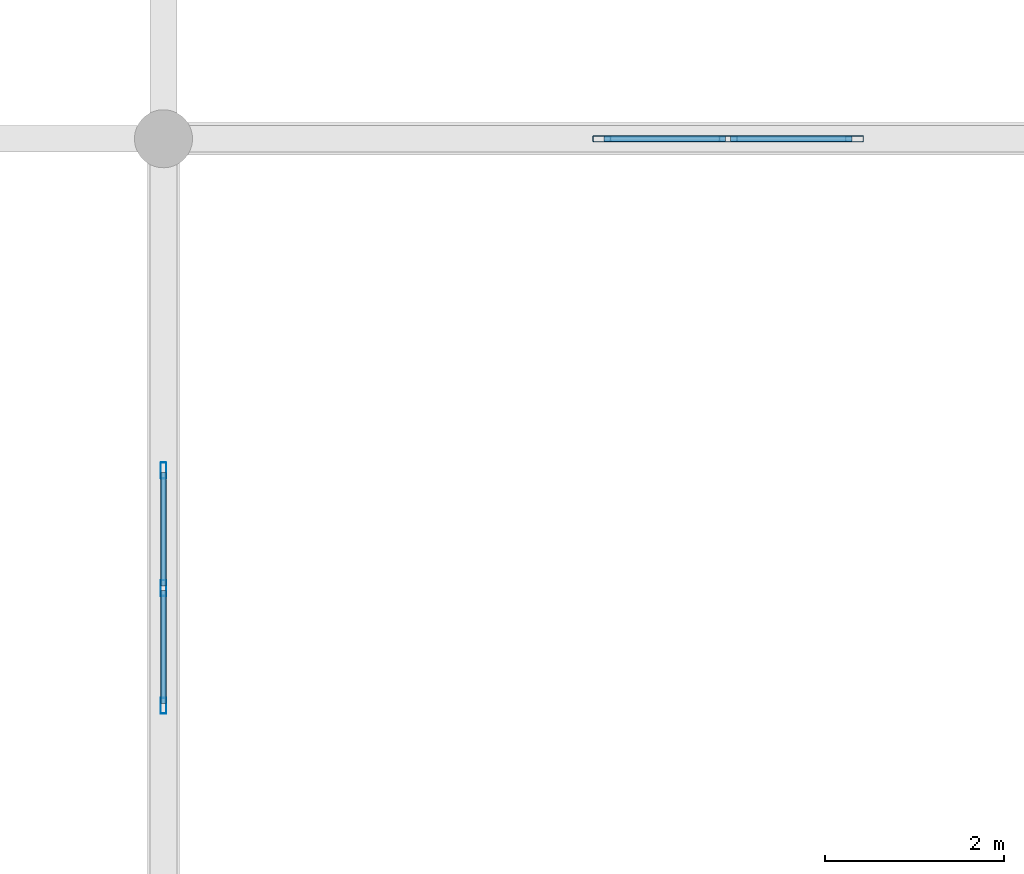
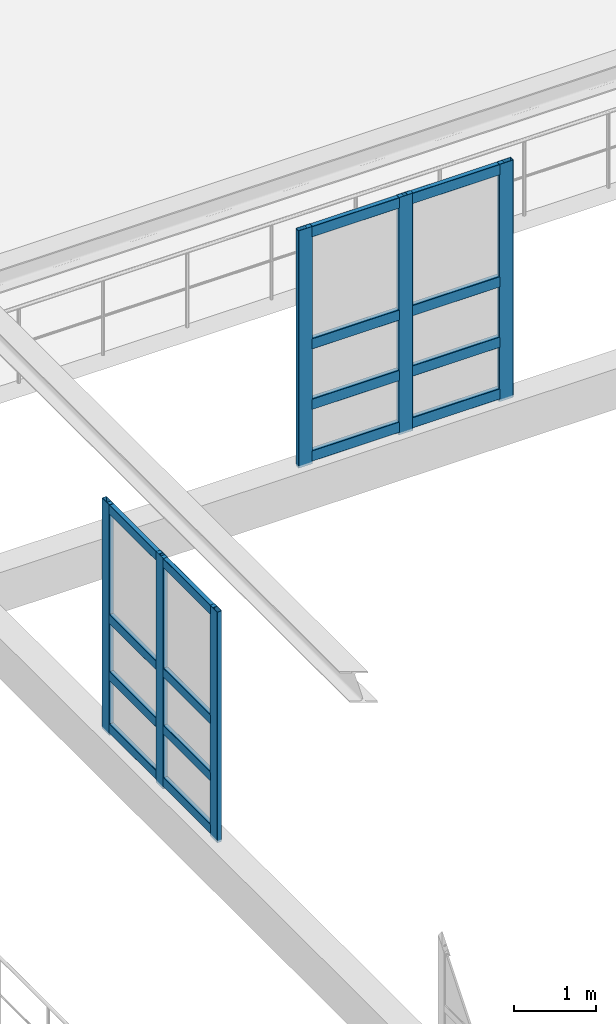
# One storey, part 70 of 197: 22 members, 2 elements without a shape of their own.
"""IFC4 building model written with IfcOpenShell, lengths in metres."""

from ifc_helpers import new_model, si_unit, derived_unit, direction, frame, origin, origin_2d, place, context, subcontext, project, spatial, hollow_rectangle, extrude, material, layer, layer_set, material_profile, profile_set, type_object, element, aggregate, save


model = new_model("IFC4")

# Units and contexts
model_context = context("Model", 3, precision=1e-05, world=origin(), true_north=direction((0.0, 1.0)))
body_context = subcontext(model_context, "Body", "Model", "MODEL_VIEW")
ifc_project = project(units=[si_unit("LENGTHUNIT", "METRE"), si_unit("AREAUNIT", "SQUARE_METRE"), si_unit("VOLUMEUNIT", "CUBIC_METRE"), si_unit("PLANEANGLEUNIT", "RADIAN"), si_unit("MASSUNIT", "GRAM", prefix="KILO"), derived_unit("THERMALTRANSMITTANCEUNIT", [(si_unit("POWERUNIT", "WATT"), 1), (si_unit("LENGTHUNIT", "METRE"), -2), (si_unit("THERMODYNAMICTEMPERATUREUNIT", "KELVIN"), -1)])], contexts=[model_context])

# Site, building, storey
site_placement = place(None, origin())
site = spatial("IfcSite", under=ifc_project, at=site_placement, CompositionType="ELEMENT")
building_placement = place(site_placement, origin())
building = spatial("IfcBuilding", under=site, at=building_placement, Name="Almenara Railside Exhibition Hall", CompositionType="ELEMENT")
storey_placement = place(building_placement, frame((0.0, 0.0, 5.39990234375)))
storey = spatial("IfcBuildingStorey", under=building, at=storey_placement, Name="L01", CompositionType="ELEMENT", Elevation=5.39990234375)

# Curtain wall, members
ifc_material_1 = material(Name="Bronze-anodised aluminium and low-E double glazing", Category="aluminium")
ifc_layer_1 = layer(ifc_material_1, 0.179931640625, Name="Bronze-anodised aluminium and low-E double glazing")
ifc_layer_set_1 = layer_set([ifc_layer_1], Name="Bronze-anodised aluminium and low-E double glazing")
curtain_wall_type_1 = type_object("IfcCurtainWallType", Name="Courtyard South Galeria Curtain Wall 2700x3400", PredefinedType="NOTDEFINED", material=ifc_layer_set_1)
curtain_wall_1_placement = place(storey_placement, origin())
curtain_wall_1 = element("IfcCurtainWall", 1, at=curtain_wall_1_placement, inside=storey, type_object=curtain_wall_type_1, Name="Curtain wall CW-CY3-156", PredefinedType="NOTDEFINED")
ifc_material_2 = material(Name="Bronze-anodised aluminium", Category="aluminium")
ifc_material_profile_1 = material_profile(ifc_material_2, hollow_rectangle(XDim=0.06494140625, YDim=0.179931640625, WallThickness=0.00390625, InnerFilletRadius=0.00390625, OuterFilletRadius=0.008056640625, at=origin_2d()), Name="ALU-MUL 65x180x4")
ifc_profile_set_1 = profile_set([ifc_material_profile_1], Name="Bronze-anodised aluminium")
member_type_1 = type_object("IfcMemberType", Name="Curtain Wall Mullion 65x180x4", PredefinedType="MULLION", material=ifc_profile_set_1)
member_1_placement = place(storey_placement, frame((84.0, 86.28564453125, 0.565185546875), z_axis=(0.0, 0.0, 1.0), x_axis=(1.0, 0.0, 0.0)))
member_1 = element("IfcMember", 2, at=member_1_placement, type_object=member_type_1, Name="CW-CY3-156 mullion 1", PredefinedType="MULLION", context=body_context, shape_type="SweptSolid", body=[
    extrude(hollow_rectangle(XDim=0.06494140625, YDim=0.179931640625, WallThickness=0.00390625, InnerFilletRadius=0.00390625, OuterFilletRadius=0.008056640625, at=origin_2d()), origin(), (0.0, 0.0, 1.0), 3.434814453125),
])
member_2_placement = place(storey_placement, frame((84.0, 84.96826171875, 0.565185546875), z_axis=(0.0, 0.0, 1.0), x_axis=(1.0, 0.0, 0.0)))
member_2 = element("IfcMember", 3, at=member_2_placement, type_object=member_type_1, Name="CW-CY3-156 mullion 2", PredefinedType="MULLION", context=body_context, shape_type="SweptSolid", body=[
    extrude(hollow_rectangle(XDim=0.06494140625, YDim=0.179931640625, WallThickness=0.00390625, InnerFilletRadius=0.00390625, OuterFilletRadius=0.008056640625, at=origin_2d()), origin(), (0.0, 0.0, 1.0), 3.434814453125),
])
member_3_placement = place(storey_placement, frame((84.0, 83.650634765625, 0.565185546875), z_axis=(0.0, 0.0, 1.0), x_axis=(1.0, 0.0, 0.0)))
member_3 = element("IfcMember", 4, at=member_3_placement, type_object=member_type_1, Name="CW-CY3-156 mullion 3", PredefinedType="MULLION", context=body_context, shape_type="SweptSolid", body=[
    extrude(hollow_rectangle(XDim=0.06494140625, YDim=0.179931640625, WallThickness=0.00390625, InnerFilletRadius=0.00390625, OuterFilletRadius=0.008056640625, at=origin_2d()), origin(), (0.0, 0.0, 1.0), 3.434814453125),
])

ifc_layer_2 = layer(ifc_material_1, 0.179931640625, Name="Bronze-anodised aluminium and low-E double glazing")
ifc_layer_set_2 = layer_set([ifc_layer_2], Name="Bronze-anodised aluminium and low-E double glazing")
curtain_wall_type_2 = type_object("IfcCurtainWallType", Name="Courtyard East Galeria Curtain Wall 2900x3500", PredefinedType="NOTDEFINED", material=ifc_layer_set_2)
curtain_wall_2_placement = place(storey_placement, origin())
curtain_wall_2 = element("IfcCurtainWall", 5, at=curtain_wall_2_placement, inside=storey, type_object=curtain_wall_type_2, Name="Curtain wall CW-CY2-155", PredefinedType="NOTDEFINED")
ifc_material_profile_2 = material_profile(ifc_material_2, hollow_rectangle(XDim=0.070068359375, YDim=0.199951171875, WallThickness=0.00439453125, InnerFilletRadius=0.00439453125, OuterFilletRadius=0.009033203125, at=origin_2d()), Name="ALU-MUL 70x200x4.5")
ifc_profile_set_2 = profile_set([ifc_material_profile_2], Name="Bronze-anodised aluminium")
member_type_2 = type_object("IfcMemberType", Name="Curtain Wall Mullion 70x200x4.5", PredefinedType="MULLION", material=ifc_profile_set_2)
member_4_placement = place(storey_placement, frame((91.73779296875, 90.0, 0.565185546875), z_axis=(0.0, 0.0, 1.0), x_axis=(0.0, -1.0, 0.0)))
member_4 = element("IfcMember", 6, at=member_4_placement, type_object=member_type_2, Name="CW-CY2-155 mullion 1", PredefinedType="MULLION", context=body_context, shape_type="SweptSolid", body=[
    extrude(hollow_rectangle(XDim=0.070068359375, YDim=0.199951171875, WallThickness=0.00439453125, InnerFilletRadius=0.00439453125, OuterFilletRadius=0.009033203125, at=origin_2d()), origin(), (0.0, 0.0, 1.0), 3.534912109375),
])
member_5_placement = place(storey_placement, frame((90.32275390625, 90.0, 0.565185546875), z_axis=(0.0, 0.0, 1.0), x_axis=(0.0, -1.0, 0.0)))
member_5 = element("IfcMember", 7, at=member_5_placement, type_object=member_type_2, Name="CW-CY2-155 mullion 2", PredefinedType="MULLION", context=body_context, shape_type="SweptSolid", body=[
    extrude(hollow_rectangle(XDim=0.070068359375, YDim=0.199951171875, WallThickness=0.00439453125, InnerFilletRadius=0.00439453125, OuterFilletRadius=0.009033203125, at=origin_2d()), origin(), (0.0, 0.0, 1.0), 3.534912109375),
])
member_6_placement = place(storey_placement, frame((88.90771484375, 90.0, 0.565185546875), z_axis=(0.0, 0.0, 1.0), x_axis=(0.0, -1.0, 0.0)))
member_6 = element("IfcMember", 8, at=member_6_placement, type_object=member_type_2, Name="CW-CY2-155 mullion 3", PredefinedType="MULLION", context=body_context, shape_type="SweptSolid", body=[
    extrude(hollow_rectangle(XDim=0.070068359375, YDim=0.199951171875, WallThickness=0.00439453125, InnerFilletRadius=0.00439453125, OuterFilletRadius=0.009033203125, at=origin_2d()), origin(), (0.0, 0.0, 1.0), 3.534912109375),
])

# Member
ifc_material_profile_3 = material_profile(ifc_material_2, hollow_rectangle(XDim=0.06494140625, YDim=0.139892578125, WallThickness=0.00341796875, InnerFilletRadius=0.00341796875, OuterFilletRadius=0.007080078125, at=origin_2d()), Name="ALU-TRN 65x140x3.5")
ifc_profile_set_3 = profile_set([ifc_material_profile_3], Name="Bronze-anodised aluminium")
member_type_3 = type_object("IfcMemberType", Name="Curtain Wall Transom 65x140x3.5", PredefinedType="USERDEFINED", material=ifc_profile_set_3)
member_7_placement = place(storey_placement, frame((84.0, 86.26123046875, 0.670166015625), z_axis=(0.0, -1.0, 0.0), x_axis=(1.0, 0.0, 0.0)))
member_7 = element("IfcMember", 9, at=member_7_placement, type_object=member_type_3, Name="CW-CY3-156 transom 1.1", ObjectType="TRANSOM", PredefinedType="USERDEFINED", context=body_context, shape_type="SweptSolid", body=[
    extrude(hollow_rectangle(XDim=0.06494140625, YDim=0.139892578125, WallThickness=0.00341796875, InnerFilletRadius=0.00341796875, OuterFilletRadius=0.007080078125, at=origin_2d()), origin(), (0.0, 0.0, 1.0), 1.2685546875),
])

member_8_placement = place(storey_placement, frame((84.0, 86.26123046875, 1.4501953125), z_axis=(0.0, -1.0, 0.0), x_axis=(1.0, 0.0, 0.0)))
member_8 = element("IfcMember", 10, at=member_8_placement, type_object=member_type_3, Name="CW-CY3-156 transom 1.2", ObjectType="TRANSOM", PredefinedType="USERDEFINED", context=body_context, shape_type="SweptSolid", body=[
    extrude(hollow_rectangle(XDim=0.06494140625, YDim=0.139892578125, WallThickness=0.00341796875, InnerFilletRadius=0.00341796875, OuterFilletRadius=0.007080078125, at=origin_2d()), origin(), (0.0, 0.0, 1.0), 1.2685546875),
])

member_9_placement = place(storey_placement, frame((84.0, 86.26123046875, 2.300048828125), z_axis=(0.0, -1.0, 0.0), x_axis=(1.0, 0.0, 0.0)))
member_9 = element("IfcMember", 11, at=member_9_placement, type_object=member_type_3, Name="CW-CY3-156 transom 1.3", ObjectType="TRANSOM", PredefinedType="USERDEFINED", context=body_context, shape_type="SweptSolid", body=[
    extrude(hollow_rectangle(XDim=0.06494140625, YDim=0.139892578125, WallThickness=0.00341796875, InnerFilletRadius=0.00341796875, OuterFilletRadius=0.007080078125, at=origin_2d()), origin(), (0.0, 0.0, 1.0), 1.2685546875),
])

member_10_placement = place(storey_placement, frame((84.0, 86.26123046875, 3.93017578125), z_axis=(0.0, -1.0, 0.0), x_axis=(1.0, 0.0, 0.0)))
member_10 = element("IfcMember", 12, at=member_10_placement, type_object=member_type_3, Name="CW-CY3-156 transom 1.4", ObjectType="TRANSOM", PredefinedType="USERDEFINED", context=body_context, shape_type="SweptSolid", body=[
    extrude(hollow_rectangle(XDim=0.06494140625, YDim=0.139892578125, WallThickness=0.00341796875, InnerFilletRadius=0.00341796875, OuterFilletRadius=0.007080078125, at=origin_2d()), origin(), (0.0, 0.0, 1.0), 1.2685546875),
])

member_11_placement = place(storey_placement, frame((84.0, 84.943603515625, 0.670166015625), z_axis=(0.0, -1.0, 0.0), x_axis=(1.0, 0.0, 0.0)))
member_11 = element("IfcMember", 13, at=member_11_placement, type_object=member_type_3, Name="CW-CY3-156 transom 2.1", ObjectType="TRANSOM", PredefinedType="USERDEFINED", context=body_context, shape_type="SweptSolid", body=[
    extrude(hollow_rectangle(XDim=0.06494140625, YDim=0.139892578125, WallThickness=0.00341796875, InnerFilletRadius=0.00341796875, OuterFilletRadius=0.007080078125, at=origin_2d()), origin(), (0.0, 0.0, 1.0), 1.268310546875),
])

member_12_placement = place(storey_placement, frame((84.0, 84.943603515625, 1.4501953125), z_axis=(0.0, -1.0, 0.0), x_axis=(1.0, 0.0, 0.0)))
member_12 = element("IfcMember", 14, at=member_12_placement, type_object=member_type_3, Name="CW-CY3-156 transom 2.2", ObjectType="TRANSOM", PredefinedType="USERDEFINED", context=body_context, shape_type="SweptSolid", body=[
    extrude(hollow_rectangle(XDim=0.06494140625, YDim=0.139892578125, WallThickness=0.00341796875, InnerFilletRadius=0.00341796875, OuterFilletRadius=0.007080078125, at=origin_2d()), origin(), (0.0, 0.0, 1.0), 1.268310546875),
])

member_13_placement = place(storey_placement, frame((84.0, 84.943603515625, 2.300048828125), z_axis=(0.0, -1.0, 0.0), x_axis=(1.0, 0.0, 0.0)))
member_13 = element("IfcMember", 15, at=member_13_placement, type_object=member_type_3, Name="CW-CY3-156 transom 2.3", ObjectType="TRANSOM", PredefinedType="USERDEFINED", context=body_context, shape_type="SweptSolid", body=[
    extrude(hollow_rectangle(XDim=0.06494140625, YDim=0.139892578125, WallThickness=0.00341796875, InnerFilletRadius=0.00341796875, OuterFilletRadius=0.007080078125, at=origin_2d()), origin(), (0.0, 0.0, 1.0), 1.268310546875),
])

member_14_placement = place(storey_placement, frame((84.0, 84.943603515625, 3.93017578125), z_axis=(0.0, -1.0, 0.0), x_axis=(1.0, 0.0, 0.0)))
member_14 = element("IfcMember", 16, at=member_14_placement, type_object=member_type_3, Name="CW-CY3-156 transom 2.4", ObjectType="TRANSOM", PredefinedType="USERDEFINED", context=body_context, shape_type="SweptSolid", body=[
    extrude(hollow_rectangle(XDim=0.06494140625, YDim=0.139892578125, WallThickness=0.00341796875, InnerFilletRadius=0.00341796875, OuterFilletRadius=0.007080078125, at=origin_2d()), origin(), (0.0, 0.0, 1.0), 1.268310546875),
])

aggregate(curtain_wall_1, [member_1, member_2, member_3, member_7, member_8, member_9, member_10, member_11, member_12, member_13, member_14])

ifc_material_profile_4 = material_profile(ifc_material_2, hollow_rectangle(XDim=0.070068359375, YDim=0.159912109375, WallThickness=0.00390625, InnerFilletRadius=0.00390625, OuterFilletRadius=0.008056640625, at=origin_2d()), Name="ALU-TRN 70x160x4")
ifc_profile_set_4 = profile_set([ifc_material_profile_4], Name="Bronze-anodised aluminium")
member_type_4 = type_object("IfcMemberType", Name="Curtain Wall Transom 70x160x4", PredefinedType="USERDEFINED", material=ifc_profile_set_4)
member_15_placement = place(storey_placement, frame((91.710693359375, 90.0, 0.68017578125), z_axis=(-1.0, 0.0, 0.0), x_axis=(0.0, -1.0, 0.0)))
member_15 = element("IfcMember", 17, at=member_15_placement, type_object=member_type_4, Name="CW-CY2-155 transom 1.1", ObjectType="TRANSOM", PredefinedType="USERDEFINED", context=body_context, shape_type="SweptSolid", body=[
    extrude(hollow_rectangle(XDim=0.070068359375, YDim=0.159912109375, WallThickness=0.00390625, InnerFilletRadius=0.00390625, OuterFilletRadius=0.008056640625, at=origin_2d()), origin(), (0.0, 0.0, 1.0), 1.361083984375),
])

member_16_placement = place(storey_placement, frame((91.710693359375, 90.0, 1.4501953125), z_axis=(-1.0, 0.0, 0.0), x_axis=(0.0, -1.0, 0.0)))
member_16 = element("IfcMember", 18, at=member_16_placement, type_object=member_type_4, Name="CW-CY2-155 transom 1.2", ObjectType="TRANSOM", PredefinedType="USERDEFINED", context=body_context, shape_type="SweptSolid", body=[
    extrude(hollow_rectangle(XDim=0.070068359375, YDim=0.159912109375, WallThickness=0.00390625, InnerFilletRadius=0.00390625, OuterFilletRadius=0.008056640625, at=origin_2d()), origin(), (0.0, 0.0, 1.0), 1.361083984375),
])

member_17_placement = place(storey_placement, frame((91.710693359375, 90.0, 2.35009765625), z_axis=(-1.0, 0.0, 0.0), x_axis=(0.0, -1.0, 0.0)))
member_17 = element("IfcMember", 19, at=member_17_placement, type_object=member_type_4, Name="CW-CY2-155 transom 1.3", ObjectType="TRANSOM", PredefinedType="USERDEFINED", context=body_context, shape_type="SweptSolid", body=[
    extrude(hollow_rectangle(XDim=0.070068359375, YDim=0.159912109375, WallThickness=0.00390625, InnerFilletRadius=0.00390625, OuterFilletRadius=0.008056640625, at=origin_2d()), origin(), (0.0, 0.0, 1.0), 1.361083984375),
])

member_18_placement = place(storey_placement, frame((91.710693359375, 90.0, 4.02001953125), z_axis=(-1.0, 0.0, 0.0), x_axis=(0.0, -1.0, 0.0)))
member_18 = element("IfcMember", 20, at=member_18_placement, type_object=member_type_4, Name="CW-CY2-155 transom 1.4", ObjectType="TRANSOM", PredefinedType="USERDEFINED", context=body_context, shape_type="SweptSolid", body=[
    extrude(hollow_rectangle(XDim=0.070068359375, YDim=0.159912109375, WallThickness=0.00390625, InnerFilletRadius=0.00390625, OuterFilletRadius=0.008056640625, at=origin_2d()), origin(), (0.0, 0.0, 1.0), 1.361083984375),
])

member_19_placement = place(storey_placement, frame((90.295654296875, 90.0, 0.68017578125), z_axis=(-1.0, 0.0, 0.0), x_axis=(0.0, -1.0, 0.0)))
member_19 = element("IfcMember", 21, at=member_19_placement, type_object=member_type_4, Name="CW-CY2-155 transom 2.1", ObjectType="TRANSOM", PredefinedType="USERDEFINED", context=body_context, shape_type="SweptSolid", body=[
    extrude(hollow_rectangle(XDim=0.070068359375, YDim=0.159912109375, WallThickness=0.00390625, InnerFilletRadius=0.00390625, OuterFilletRadius=0.008056640625, at=origin_2d()), origin(), (0.0, 0.0, 1.0), 1.36083984375),
])

member_20_placement = place(storey_placement, frame((90.295654296875, 90.0, 1.4501953125), z_axis=(-1.0, 0.0, 0.0), x_axis=(0.0, -1.0, 0.0)))
member_20 = element("IfcMember", 22, at=member_20_placement, type_object=member_type_4, Name="CW-CY2-155 transom 2.2", ObjectType="TRANSOM", PredefinedType="USERDEFINED", context=body_context, shape_type="SweptSolid", body=[
    extrude(hollow_rectangle(XDim=0.070068359375, YDim=0.159912109375, WallThickness=0.00390625, InnerFilletRadius=0.00390625, OuterFilletRadius=0.008056640625, at=origin_2d()), origin(), (0.0, 0.0, 1.0), 1.36083984375),
])

member_21_placement = place(storey_placement, frame((90.295654296875, 90.0, 2.35009765625), z_axis=(-1.0, 0.0, 0.0), x_axis=(0.0, -1.0, 0.0)))
member_21 = element("IfcMember", 23, at=member_21_placement, type_object=member_type_4, Name="CW-CY2-155 transom 2.3", ObjectType="TRANSOM", PredefinedType="USERDEFINED", context=body_context, shape_type="SweptSolid", body=[
    extrude(hollow_rectangle(XDim=0.070068359375, YDim=0.159912109375, WallThickness=0.00390625, InnerFilletRadius=0.00390625, OuterFilletRadius=0.008056640625, at=origin_2d()), origin(), (0.0, 0.0, 1.0), 1.36083984375),
])

member_22_placement = place(storey_placement, frame((90.295654296875, 90.0, 4.02001953125), z_axis=(-1.0, 0.0, 0.0), x_axis=(0.0, -1.0, 0.0)))
member_22 = element("IfcMember", 24, at=member_22_placement, type_object=member_type_4, Name="CW-CY2-155 transom 2.4", ObjectType="TRANSOM", PredefinedType="USERDEFINED", context=body_context, shape_type="SweptSolid", body=[
    extrude(hollow_rectangle(XDim=0.070068359375, YDim=0.159912109375, WallThickness=0.00390625, InnerFilletRadius=0.00390625, OuterFilletRadius=0.008056640625, at=origin_2d()), origin(), (0.0, 0.0, 1.0), 1.36083984375),
])

aggregate(curtain_wall_2, [member_4, member_5, member_6, member_15, member_16, member_17, member_18, member_19, member_20, member_21, member_22])

save(model, "model.ifc")
